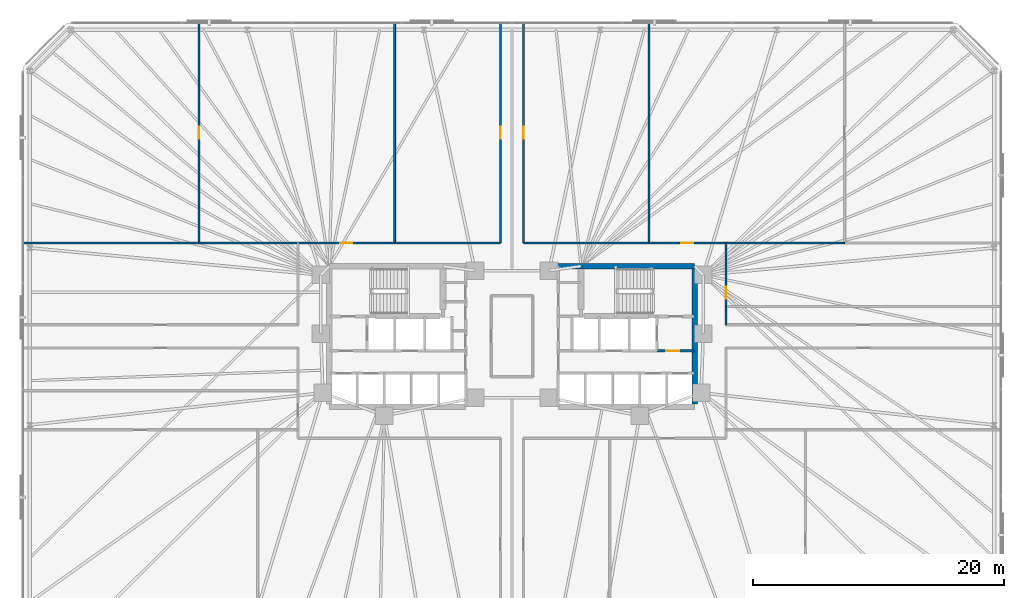
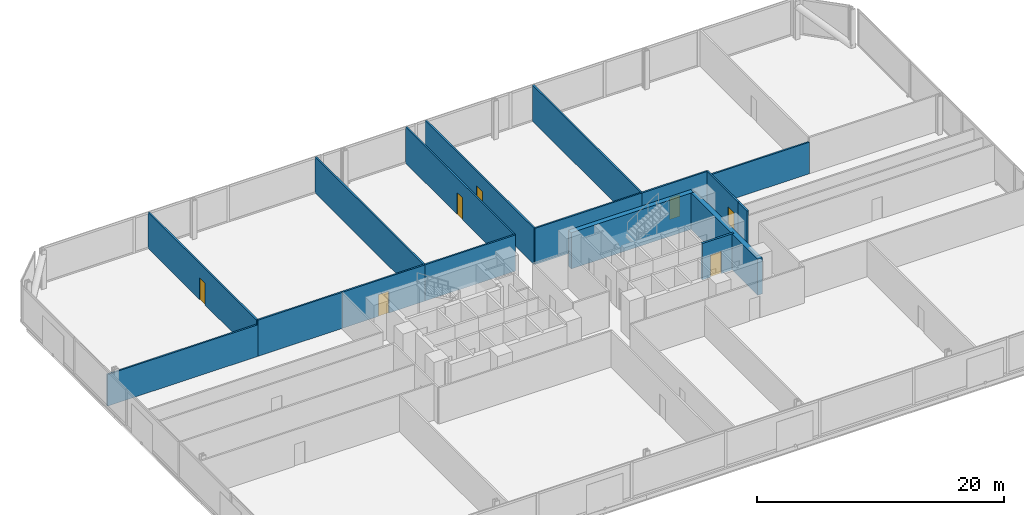
# One storey, part 14 of 17: 17 walls, 7 doors, 7 openings.
"""IFC4 building model written with IfcOpenShell, lengths in metres."""

from ifc_helpers import new_model, si_unit, direction, frame, frame_2d, origin, place, context, subcontext, project, spatial, rectangle, extrude, material, layer, layer_set, type_object, element, fill, save


model = new_model("IFC4")

# Units and contexts
model_context = context("Model", 3, precision=1e-05, world=origin(), true_north=direction((0.0, 1.0)))
body_context = subcontext(model_context, "Body", "Model", "MODEL_VIEW")
ifc_project = project(units=[si_unit("LENGTHUNIT", "METRE"), si_unit("AREAUNIT", "SQUARE_METRE"), si_unit("VOLUMEUNIT", "CUBIC_METRE"), si_unit("PLANEANGLEUNIT", "RADIAN"), si_unit("MASSUNIT", "GRAM", prefix="KILO")], contexts=[model_context])

# Site, building, storey
site_placement = place(None, origin())
site = spatial("IfcSite", under=ifc_project, at=site_placement, CompositionType="ELEMENT")
building_placement = place(site_placement, origin())
building = spatial("IfcBuilding", under=site, at=building_placement, Name="Menara Jurai Vektor", CompositionType="ELEMENT")
storey_placement = place(building_placement, frame((0.0, 0.0, 21.800048828125)))
storey = spatial("IfcBuildingStorey", under=building, at=storey_placement, Name="L04", CompositionType="ELEMENT", Elevation=21.800048828125)

# Wall, opening, door
ifc_material_1 = material(Name="Concrete C40/50", Category="concrete")
ifc_layer_1 = layer(ifc_material_1, 0.25)
ifc_layer_set_1 = layer_set([ifc_layer_1], Name="Concrete C40/50")
wall_type_1 = type_object("IfcWallType", Name="INT-WALL-CORE-250", PredefinedType="STANDARD", material=ifc_layer_set_1)
wall_1_placement = place(storey_placement, frame((11.550048828125, -1.14990234375, 0.0), z_axis=(0.0, 0.0, 1.0), x_axis=(1.0, 0.0, 0.0)))
wall_1 = element("IfcWall", 1, at=wall_1_placement, inside=storey, type_object=wall_type_1, Name="Interior Wall IW-250 L04", PredefinedType="STANDARD", context=body_context, shape_type="SweptSolid", body=[
    extrude(rectangle(XDim=2.949951171875, YDim=0.199951171875, at=frame_2d((1.47509765625, 0.0))), origin(), (0.0, 0.0, 1.0), 3.574951171875),
])
opening_1_placement = place(wall_1_placement, frame((0.75, 0.0, 0.0)))
opening_1 = element("IfcOpeningElement", 2, at=opening_1_placement, cuts=wall_1, Name="Opening D-L04-FFE", PredefinedType="OPENING", context=body_context, shape_type="SweptSolid", body=[
    extrude(rectangle(XDim=1.050048828125, YDim=2.179931640625, at=frame_2d((0.52490234375, 1.08984375))), frame((0.0, 0.10986328125, 0.0), z_axis=(0.0, -1.0, 0.0), x_axis=(1.0, 0.0, 0.0)), (0.0, 0.0, 1.0), 0.219970703125),
])
ifc_material_2 = material(Name="Fire-Rated Timber Door", Category="wood")
door_type_1 = type_object("IfcDoorType", Name="DR-LOBBY-1050", OperationType="NOTDEFINED", PredefinedType="DOOR", material=ifc_material_2)
door_1_placement = place(opening_1_placement, origin())
door_1 = element("IfcDoor", 3, at=door_1_placement, inside=storey, type_object=door_type_1, Name="Fire Lift Lobby Door E L04", OperationType="SINGLE_SWING_LEFT", OverallHeight=2.179931640625, OverallWidth=1.050048828125, PredefinedType="DOOR", context=body_context, shape_type="SweptSolid", body=[
    extrude(rectangle(XDim=1.050048828125, YDim=2.179931640625, at=frame_2d((0.52490234375, 1.08984375))), frame((0.0, 0.02490234375, 0.0), z_axis=(0.0, -1.0, 0.0), x_axis=(1.0, 0.0, 0.0)), (0.0, 0.0, 1.0), 0.050048828125),
])
fill(opening_1, door_1)

ifc_material_3 = material(Name="Gypsum Fireboard Partition", Category="gypsum")
ifc_layer_2 = layer(ifc_material_3, 0.14990234375)
ifc_layer_set_2 = layer_set([ifc_layer_2], Name="Gypsum Fireboard Partition")
wall_type_2 = type_object("IfcWallType", Name="INT-WALL-CORR-150", PredefinedType="PARTITIONING", material=ifc_layer_set_2)
wall_2_placement = place(storey_placement, frame((-17.05908203125, 7.449951171875, 0.0), z_axis=(0.0, 0.0, 1.0), x_axis=(1.0, 0.0, 0.0)))
wall_2 = element("IfcWall", 4, at=wall_2_placement, inside=storey, type_object=wall_type_2, Name="Interior Wall IW-150 L04", PredefinedType="PARTITIONING", context=body_context, shape_type="SweptSolid", body=[
    extrude(rectangle(XDim=7.698974609375, YDim=0.14990234375, at=frame_2d((3.849609375, 0.0))), origin(), (0.0, 0.0, 1.0), 3.574951171875),
])
opening_2_placement = place(wall_2_placement, frame((3.37451171875, 0.0, 0.0)))
opening_2 = element("IfcOpeningElement", 5, at=opening_2_placement, cuts=wall_2, Name="Opening D04-07", PredefinedType="OPENING", context=body_context, shape_type="SweptSolid", body=[
    extrude(rectangle(XDim=0.949951171875, YDim=2.14990234375, at=frame_2d((0.47509765625, 1.074951171875))), frame((0.0, 0.0849609375, 0.0), z_axis=(0.0, -1.0, 0.0), x_axis=(1.0, 0.0, 0.0)), (0.0, 0.0, 1.0), 0.169921875),
])
ifc_material_4 = material(Name="Solid Core Timber Fire Door", Category="wood")
door_type_2 = type_object("IfcDoorType", Name="DR-ENTRY-950", OperationType="NOTDEFINED", PredefinedType="DOOR", material=ifc_material_4)
door_2_placement = place(opening_2_placement, origin())
door_2 = element("IfcDoor", 6, at=door_2_placement, inside=storey, type_object=door_type_2, Name="Interior Door D04-07", OperationType="SINGLE_SWING_RIGHT", OverallHeight=2.14990234375, OverallWidth=0.949951171875, PredefinedType="DOOR", context=body_context, shape_type="SweptSolid", body=[
    extrude(rectangle(XDim=0.949951171875, YDim=2.14990234375, at=frame_2d((0.47509765625, 1.074951171875))), frame((0.0, 0.02490234375, 0.0), z_axis=(0.0, -1.0, 0.0), x_axis=(1.0, 0.0, 0.0)), (0.0, 0.0, 1.0), 0.050048828125),
])
fill(opening_2, door_2)

# Wall
wall_3_placement = place(storey_placement, frame((-9.360107421875, 7.449951171875, 0.0), z_axis=(0.0, 0.0, 1.0), x_axis=(1.0, 0.0, 0.0)))
element("IfcWall", 7, at=wall_3_placement, inside=storey, type_object=wall_type_2, Name="Interior Wall IW-150 L04", PredefinedType="PARTITIONING", context=body_context, shape_type="SweptSolid", body=[
    extrude(rectangle(XDim=8.440185546875, YDim=0.14990234375, at=frame_2d((4.22021484375, 0.0))), origin(), (0.0, 0.0, 1.0), 3.574951171875),
])

# Wall, opening, door
wall_4_placement = place(storey_placement, frame((-0.919921875, 7.449951171875, 0.0), z_axis=(0.0, 0.0, 1.0), x_axis=(0.0, 1.0, 0.0)))
wall_4 = element("IfcWall", 8, at=wall_4_placement, inside=storey, type_object=wall_type_2, Name="Interior Wall IW-150 L04", PredefinedType="PARTITIONING", context=body_context, shape_type="SweptSolid", body=[
    extrude(rectangle(XDim=17.550048828125, YDim=0.14990234375, at=frame_2d((8.77490234375, 0.0))), origin(), (0.0, 0.0, 1.0), 3.574951171875),
])
opening_3_placement = place(wall_4_placement, frame((8.300048828125, 0.0, 0.0)))
opening_3 = element("IfcOpeningElement", 9, at=opening_3_placement, cuts=wall_4, Name="Opening D04-08", PredefinedType="OPENING", context=body_context, shape_type="SweptSolid", body=[
    extrude(rectangle(XDim=0.949951171875, YDim=2.14990234375, at=frame_2d((0.47509765625, 1.074951171875))), frame((0.0, 0.0849609375, 0.0), z_axis=(0.0, -1.0, 0.0), x_axis=(1.0, 0.0, 0.0)), (0.0, 0.0, 1.0), 0.169921875),
])
door_3_placement = place(opening_3_placement, origin())
door_3 = element("IfcDoor", 10, at=door_3_placement, inside=storey, type_object=door_type_2, Name="Interior Door D04-08", OperationType="SINGLE_SWING_LEFT", OverallHeight=2.14990234375, OverallWidth=0.949951171875, PredefinedType="DOOR", context=body_context, shape_type="SweptSolid", body=[
    extrude(rectangle(XDim=0.949951171875, YDim=2.14990234375, at=frame_2d((0.47509765625, 1.074951171875))), frame((0.0, 0.02490234375, 0.0), z_axis=(0.0, -1.0, 0.0), x_axis=(1.0, 0.0, 0.0)), (0.0, 0.0, 1.0), 0.050048828125),
])
fill(opening_3, door_3)

wall_5_placement = place(storey_placement, frame((0.919921875, 7.449951171875, 0.0), z_axis=(0.0, 0.0, 1.0), x_axis=(0.0, 1.0, 0.0)))
wall_5 = element("IfcWall", 11, at=wall_5_placement, inside=storey, type_object=wall_type_2, Name="Interior Wall IW-150 L04", PredefinedType="PARTITIONING", context=body_context, shape_type="SweptSolid", body=[
    extrude(rectangle(XDim=17.550048828125, YDim=0.14990234375, at=frame_2d((8.77490234375, 0.0))), origin(), (0.0, 0.0, 1.0), 3.574951171875),
])
opening_4_placement = place(wall_5_placement, frame((8.300048828125, 0.0, 0.0)))
opening_4 = element("IfcOpeningElement", 12, at=opening_4_placement, cuts=wall_5, Name="Opening D04-09", PredefinedType="OPENING", context=body_context, shape_type="SweptSolid", body=[
    extrude(rectangle(XDim=0.949951171875, YDim=2.14990234375, at=frame_2d((0.47509765625, 1.074951171875))), frame((0.0, 0.0849609375, 0.0), z_axis=(0.0, -1.0, 0.0), x_axis=(1.0, 0.0, 0.0)), (0.0, 0.0, 1.0), 0.169921875),
])
door_4_placement = place(opening_4_placement, origin())
door_4 = element("IfcDoor", 13, at=door_4_placement, inside=storey, type_object=door_type_2, Name="Interior Door D04-09", OperationType="SINGLE_SWING_RIGHT", OverallHeight=2.14990234375, OverallWidth=0.949951171875, PredefinedType="DOOR", context=body_context, shape_type="SweptSolid", body=[
    extrude(rectangle(XDim=0.949951171875, YDim=2.14990234375, at=frame_2d((0.47509765625, 1.074951171875))), frame((0.0, 0.02490234375, 0.0), z_axis=(0.0, -1.0, 0.0), x_axis=(1.0, 0.0, 0.0)), (0.0, 0.0, 1.0), 0.050048828125),
])
fill(opening_4, door_4)

# Wall
wall_6_placement = place(storey_placement, frame((0.919921875, 7.449951171875, 0.0), z_axis=(0.0, 0.0, 1.0), x_axis=(1.0, 0.0, 0.0)))
element("IfcWall", 14, at=wall_6_placement, inside=storey, type_object=wall_type_2, Name="Interior Wall IW-150 L04", PredefinedType="PARTITIONING", context=body_context, shape_type="SweptSolid", body=[
    extrude(rectangle(XDim=10.0, YDim=0.14990234375, at=frame_2d((5.0, 0.0))), origin(), (0.0, 0.0, 1.0), 3.574951171875),
])

# Wall, opening, door
wall_7_placement = place(storey_placement, frame((10.919921875, 7.449951171875, 0.0), z_axis=(0.0, 0.0, 1.0), x_axis=(1.0, 0.0, 0.0)))
wall_7 = element("IfcWall", 15, at=wall_7_placement, inside=storey, type_object=wall_type_2, Name="Interior Wall IW-150 L04", PredefinedType="PARTITIONING", context=body_context, shape_type="SweptSolid", body=[
    extrude(rectangle(XDim=6.13916015625, YDim=0.14990234375, at=frame_2d((3.069580078125, 0.0))), origin(), (0.0, 0.0, 1.0), 3.574951171875),
])
opening_5_placement = place(wall_7_placement, frame((2.594482421875, 0.0, 0.0)))
opening_5 = element("IfcOpeningElement", 16, at=opening_5_placement, cuts=wall_7, Name="Opening D04-10", PredefinedType="OPENING", context=body_context, shape_type="SweptSolid", body=[
    extrude(rectangle(XDim=0.949951171875, YDim=2.14990234375, at=frame_2d((0.47509765625, 1.074951171875))), frame((0.0, 0.0849609375, 0.0), z_axis=(0.0, -1.0, 0.0), x_axis=(1.0, 0.0, 0.0)), (0.0, 0.0, 1.0), 0.169921875),
])
door_5_placement = place(opening_5_placement, origin())
door_5 = element("IfcDoor", 17, at=door_5_placement, inside=storey, type_object=door_type_2, Name="Interior Door D04-10", OperationType="SINGLE_SWING_LEFT", OverallHeight=2.14990234375, OverallWidth=0.949951171875, PredefinedType="DOOR", context=body_context, shape_type="SweptSolid", body=[
    extrude(rectangle(XDim=0.949951171875, YDim=2.14990234375, at=frame_2d((0.47509765625, 1.074951171875))), frame((0.0, 0.02490234375, 0.0), z_axis=(0.0, -1.0, 0.0), x_axis=(1.0, 0.0, 0.0)), (0.0, 0.0, 1.0), 0.050048828125),
])
fill(opening_5, door_5)

# Wall
wall_8_placement = place(storey_placement, frame((17.05908203125, 0.919921875, 0.0), z_axis=(0.0, 0.0, 1.0), x_axis=(0.0, 1.0, 0.0)))
element("IfcWall", 18, at=wall_8_placement, inside=storey, type_object=wall_type_2, Name="Interior Wall IW-150 L04", PredefinedType="PARTITIONING", context=body_context, shape_type="SweptSolid", body=[
    extrude(rectangle(XDim=1.464111328125, YDim=0.14990234375, at=frame_2d((0.73193359375, 0.0))), origin(), (0.0, 0.0, 1.0), 3.574951171875),
])

# Wall, opening, door
wall_9_placement = place(storey_placement, frame((17.05908203125, 2.384033203125, 0.0), z_axis=(0.0, 0.0, 1.0), x_axis=(0.0, 1.0, 0.0)))
wall_9 = element("IfcWall", 19, at=wall_9_placement, inside=storey, type_object=wall_type_2, Name="Interior Wall IW-150 L04", PredefinedType="PARTITIONING", context=body_context, shape_type="SweptSolid", body=[
    extrude(rectangle(XDim=5.06591796875, YDim=0.14990234375, at=frame_2d((2.532958984375, 0.0))), origin(), (0.0, 0.0, 1.0), 3.574951171875),
])
opening_6_placement = place(wall_9_placement, frame((0.639404296875, 0.0, 0.0)))
opening_6 = element("IfcOpeningElement", 20, at=opening_6_placement, cuts=wall_9, Name="Opening D04-19", PredefinedType="OPENING", context=body_context, shape_type="SweptSolid", body=[
    extrude(rectangle(XDim=0.949951171875, YDim=2.14990234375, at=frame_2d((0.47509765625, 1.074951171875))), frame((0.0, 0.0849609375, 0.0), z_axis=(0.0, -1.0, 0.0), x_axis=(1.0, 0.0, 0.0)), (0.0, 0.0, 1.0), 0.169921875),
])
door_6_placement = place(opening_6_placement, origin())
door_6 = element("IfcDoor", 21, at=door_6_placement, inside=storey, type_object=door_type_2, Name="Interior Door D04-19", OperationType="SINGLE_SWING_RIGHT", OverallHeight=2.14990234375, OverallWidth=0.949951171875, PredefinedType="DOOR", context=body_context, shape_type="SweptSolid", body=[
    extrude(rectangle(XDim=0.949951171875, YDim=2.14990234375, at=frame_2d((0.47509765625, 1.074951171875))), frame((0.0, 0.02490234375, 0.0), z_axis=(0.0, -1.0, 0.0), x_axis=(1.0, 0.0, 0.0)), (0.0, 0.0, 1.0), 0.050048828125),
])
fill(opening_6, door_6)

wall_10_placement = place(storey_placement, frame((-24.9599609375, 7.449951171875, 0.0), z_axis=(0.0, 0.0, 1.0), x_axis=(0.0, 1.0, 0.0)))
wall_10 = element("IfcWall", 22, at=wall_10_placement, inside=storey, type_object=wall_type_2, Name="Interior Wall IW-150 L04", PredefinedType="PARTITIONING", context=body_context, shape_type="SweptSolid", body=[
    extrude(rectangle(XDim=17.550048828125, YDim=0.14990234375, at=frame_2d((8.77490234375, 0.0))), origin(), (0.0, 0.0, 1.0), 3.574951171875),
])
opening_7_placement = place(wall_10_placement, frame((8.300048828125, 0.0, 0.0)))
opening_7 = element("IfcOpeningElement", 23, at=opening_7_placement, cuts=wall_10, Name="Opening D04-20", PredefinedType="OPENING", context=body_context, shape_type="SweptSolid", body=[
    extrude(rectangle(XDim=0.949951171875, YDim=2.14990234375, at=frame_2d((0.47509765625, 1.074951171875))), frame((0.0, 0.0849609375, 0.0), z_axis=(0.0, -1.0, 0.0), x_axis=(1.0, 0.0, 0.0)), (0.0, 0.0, 1.0), 0.169921875),
])
door_7_placement = place(opening_7_placement, origin())
door_7 = element("IfcDoor", 24, at=door_7_placement, inside=storey, type_object=door_type_2, Name="Interior Door D04-20", OperationType="SINGLE_SWING_LEFT", OverallHeight=2.14990234375, OverallWidth=0.949951171875, PredefinedType="DOOR", context=body_context, shape_type="SweptSolid", body=[
    extrude(rectangle(XDim=0.949951171875, YDim=2.14990234375, at=frame_2d((0.47509765625, 1.074951171875))), frame((0.0, 0.02490234375, 0.0), z_axis=(0.0, -1.0, 0.0), x_axis=(1.0, 0.0, 0.0)), (0.0, 0.0, 1.0), 0.050048828125),
])
fill(opening_7, door_7)

# Walls
wall_11_placement = place(storey_placement, frame((-9.360107421875, 7.449951171875, 0.0), z_axis=(0.0, 0.0, 1.0), x_axis=(0.0, 1.0, 0.0)))
element("IfcWall", 25, at=wall_11_placement, inside=storey, type_object=wall_type_2, Name="Interior Wall IW-150 L04", PredefinedType="PARTITIONING", context=body_context, shape_type="SweptSolid", body=[
    extrude(rectangle(XDim=17.550048828125, YDim=0.14990234375, at=frame_2d((8.77490234375, 0.0))), origin(), (0.0, 0.0, 1.0), 3.574951171875),
])
wall_12_placement = place(storey_placement, frame((-24.9599609375, 7.449951171875, 0.0), z_axis=(0.0, 0.0, 1.0), x_axis=(1.0, 0.0, 0.0)))
element("IfcWall", 26, at=wall_12_placement, inside=storey, type_object=wall_type_2, Name="Interior Wall IW-150 L04", PredefinedType="PARTITIONING", context=body_context, shape_type="SweptSolid", body=[
    extrude(rectangle(XDim=7.90087890625, YDim=0.14990234375, at=frame_2d((3.950439453125, 0.0))), origin(), (0.0, 0.0, 1.0), 3.574951171875),
])
wall_13_placement = place(storey_placement, frame((10.919921875, 7.449951171875, 0.0), z_axis=(0.0, 0.0, 1.0), x_axis=(0.0, 1.0, 0.0)))
element("IfcWall", 27, at=wall_13_placement, inside=storey, type_object=wall_type_2, Name="Interior Wall IW-150 L04", PredefinedType="PARTITIONING", context=body_context, shape_type="SweptSolid", body=[
    extrude(rectangle(XDim=17.550048828125, YDim=0.14990234375, at=frame_2d((8.77490234375, 0.0))), origin(), (0.0, 0.0, 1.0), 3.574951171875),
])
ifc_layer_3 = layer(ifc_material_3, 0.14990234375)
ifc_layer_set_3 = layer_set([ifc_layer_3], Name="Gypsum Fireboard Partition")
wall_type_3 = type_object("IfcWallType", Name="INT-WALL-CORR-150-H1", PredefinedType="PARTITIONING", material=ifc_layer_set_3)
wall_14_placement = place(storey_placement, frame((-39.0, 7.449951171875, 0.0), z_axis=(0.0, 0.0, 1.0), x_axis=(1.0, 0.0, 0.0)))
element("IfcWall", 28, at=wall_14_placement, inside=storey, type_object=wall_type_3, Name="Interior Wall IW-150 L04", PredefinedType="PARTITIONING", context=body_context, shape_type="SweptSolid", body=[
    extrude(rectangle(XDim=14.0400390625, YDim=0.14990234375, at=frame_2d((7.02001953125, 0.0))), origin(), (0.0, 0.0, 1.0), 3.125),
])
wall_15_placement = place(storey_placement, frame((17.05908203125, 7.449951171875, 0.0), z_axis=(0.0, 0.0, 1.0), x_axis=(1.0, 0.0, 0.0)))
element("IfcWall", 29, at=wall_15_placement, inside=storey, type_object=wall_type_3, Name="Interior Wall IW-150 L04", PredefinedType="PARTITIONING", context=body_context, shape_type="SweptSolid", body=[
    extrude(rectangle(XDim=9.4609375, YDim=0.14990234375, at=frame_2d((4.73046875, 0.0))), origin(), (0.0, 0.0, 1.0), 3.125),
])
ifc_material_5 = material(Name="Concrete C60/75", Category="concrete")
ifc_layer_4 = layer(ifc_material_5, 0.449951171875)
ifc_layer_set_4 = layer_set([ifc_layer_4], Name="Concrete C60/75")
wall_type_4 = type_object("IfcWallType", Name="STR-WALL-CORE450", PredefinedType="SHEAR", material=ifc_layer_set_4)
wall_16_placement = place(storey_placement, frame((3.14990234375, 5.60009765625, 0.0), z_axis=(0.0, 0.0, 1.0), x_axis=(1.0, 0.0, 0.0)))
element("IfcWall", 30, at=wall_16_placement, inside=storey, type_object=wall_type_4, Name="Core Shear Wall CW-E-N L04", PredefinedType="SHEAR", context=body_context, shape_type="SweptSolid", body=[
    extrude(rectangle(XDim=11.41015625, YDim=0.449951171875, at=frame_2d((5.705078125, 0.0))), origin(), (0.0, 0.0, 1.0), 3.574951171875),
])
wall_17_placement = place(storey_placement, frame((14.56005859375, -5.375, 0.0), z_axis=(0.0, 0.0, 1.0), x_axis=(0.0, 1.0, 0.0)))
element("IfcWall", 31, at=wall_17_placement, inside=storey, type_object=wall_type_4, Name="Core Shear Wall CW-E-E L04", PredefinedType="SHEAR", context=body_context, shape_type="SweptSolid", body=[
    extrude(rectangle(XDim=10.75, YDim=0.449951171875, at=frame_2d((5.375, 0.0))), origin(), (0.0, 0.0, 1.0), 3.574951171875),
])

save(model, "model.ifc")
